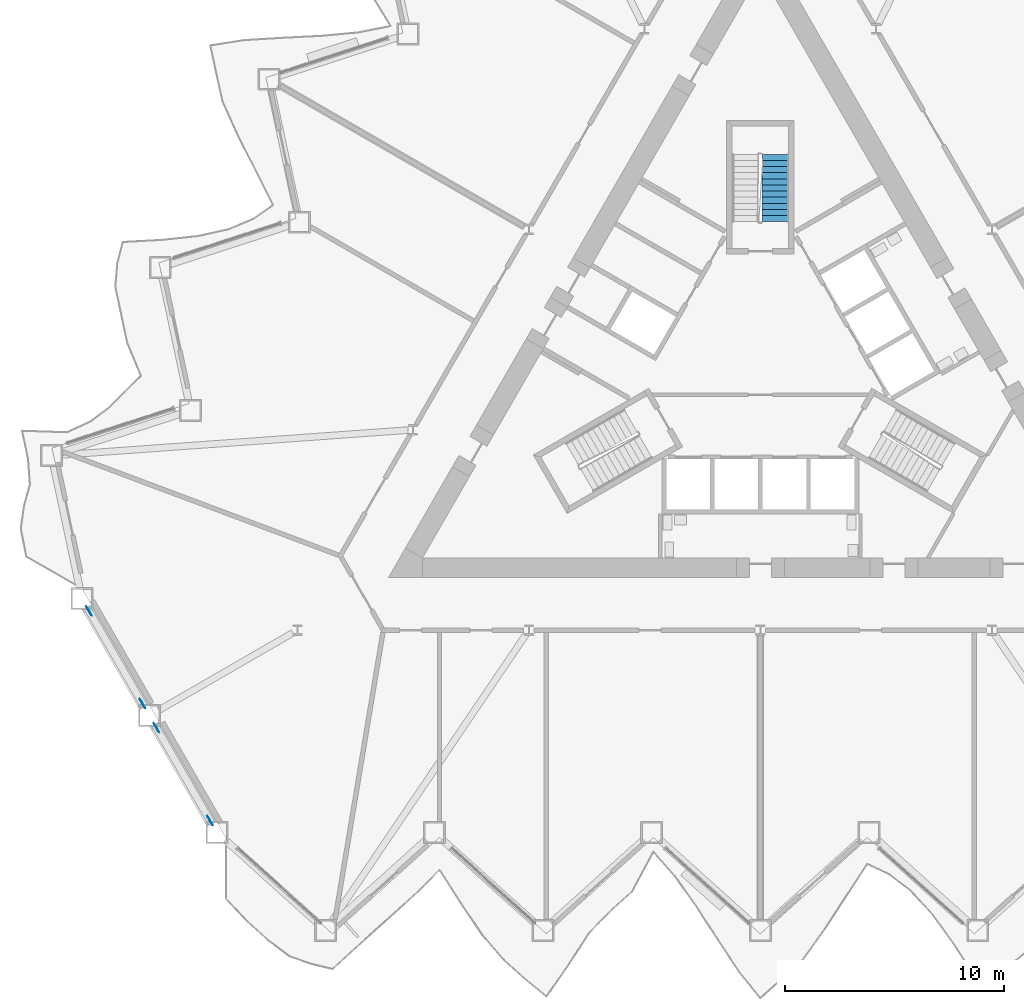
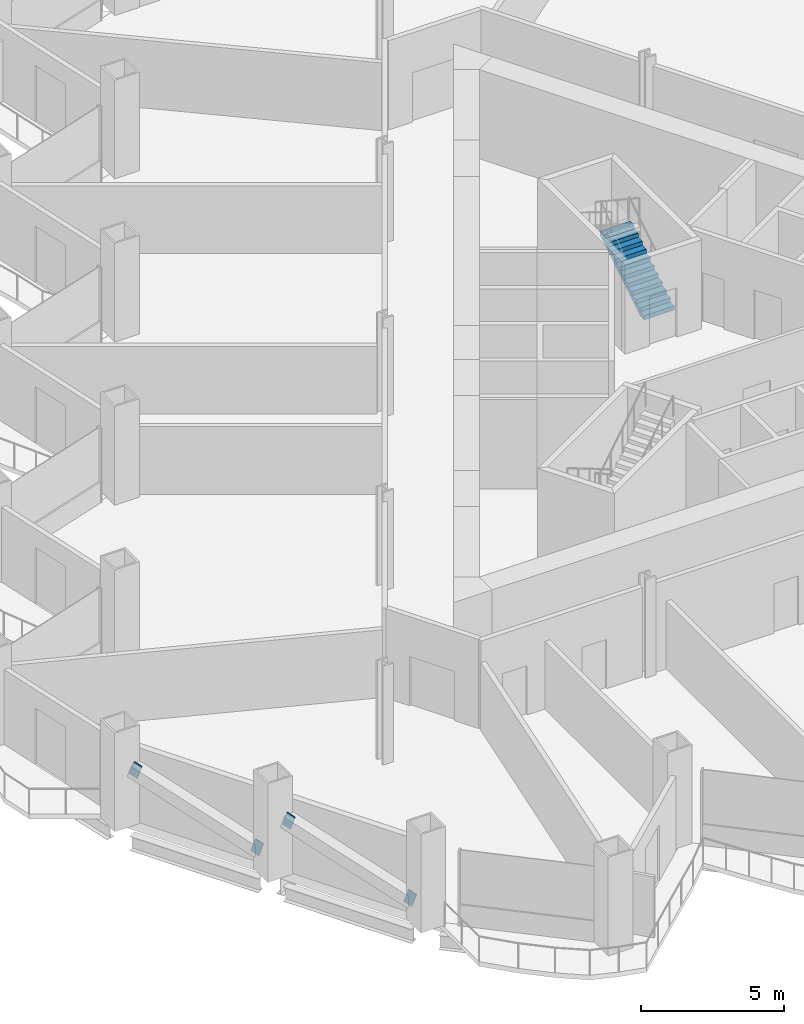
# One storey, part 13 of 20: 4 discrete accessories, 1 stair flight, 1 element without a shape of its own.
"""IFC4 building model written with IfcOpenShell, lengths in metres."""

from ifc_helpers import new_model, si_unit, direction, frame, origin, origin_2d, place, context, subcontext, project, spatial, polyline, rectangle, outline, extrude, material, material_profile, profile_set, type_object, element, aggregate, save


model = new_model("IFC4")

# Units and contexts
model_context = context("Model", 3, precision=1e-05, world=origin(), true_north=direction((0.0, 1.0)))
body_context = subcontext(model_context, "Body", "Model", "MODEL_VIEW")
ifc_project = project(units=[si_unit("LENGTHUNIT", "METRE"), si_unit("AREAUNIT", "SQUARE_METRE"), si_unit("VOLUMEUNIT", "CUBIC_METRE"), si_unit("PLANEANGLEUNIT", "RADIAN"), si_unit("MASSUNIT", "GRAM", prefix="KILO")], contexts=[model_context])

# Site, building, storey
site_placement = place(None, origin())
site = spatial("IfcSite", under=ifc_project, at=site_placement, CompositionType="ELEMENT")
building_placement = place(site_placement, origin())
building = spatial("IfcBuilding", under=site, at=building_placement, Name="Cormorant Prow Tower", CompositionType="ELEMENT")
storey_placement = place(building_placement, frame((0.0, 0.0, 59.39990234375)))
storey = spatial("IfcBuildingStorey", under=building, at=storey_placement, Name="L12", CompositionType="ELEMENT", Elevation=59.39990234375)

# Stair, stair flight
ifc_material_1 = material(Name="Exit stair 24 risers")
stair_type = type_object("IfcStairType", Name="Exit stair 24 risers", PredefinedType="HALF_TURN_STAIR", material=ifc_material_1)
stair_placement = place(storey_placement, origin())
stair = element("IfcStair", 1, at=stair_placement, inside=storey, type_object=stair_type, Name="L12 Exit stair ST3", PredefinedType="HALF_TURN_STAIR")
ifc_material_2 = material(Name="Concrete 5000 psi", Category="concrete")
stair_flight_type = type_object("IfcStairFlightType", Name="Stair flight 1219", PredefinedType="STRAIGHT", material=ifc_material_2)
stair_flight_placement = place(storey_placement, frame((0.6845703125, 6.455810546875, 0.0), z_axis=(0.0, 0.0, 1.0), x_axis=(0.0, 1.0, 0.0)))
stair_flight = element("IfcStairFlight", 2, at=stair_flight_placement, type_object=stair_flight_type, Name="ST3 flight 1", NumberOfRisers=12, NumberOfTreads=11, PredefinedType="STRAIGHT", RiserHeight=0.175, TreadLength=0.28, context=body_context, shape_type="SweptSolid", body=[
    extrude(outline(polyline([(0.0, 0.0), (0.0, 0.175048828125), (0.280029296875, 0.175048828125), (0.280029296875, 0.35009765625), (0.56005859375, 0.35009765625), (0.56005859375, 0.52490234375), (0.840087890625, 0.52490234375), (0.840087890625, 0.699951171875), (1.1201171875, 0.699951171875), (1.1201171875, 0.875), (1.39990234375, 0.875), (1.39990234375, 1.050048828125), (1.679931640625, 1.050048828125), (1.679931640625, 1.22509765625), (1.9599609375, 1.22509765625), (1.9599609375, 1.39990234375), (2.239990234375, 1.39990234375), (2.239990234375, 1.574951171875), (2.52001953125, 1.574951171875), (2.52001953125, 1.75), (2.800048828125, 1.75), (2.800048828125, 1.925048828125), (3.080078125, 1.925048828125), (3.080078125, 2.10009765625), (3.080078125, 1.748291015625), (0.28271484375, 0.0), (0.0, 0.0)])), frame((0.0, 0.609375, 0.0), z_axis=(0.0, -1.0, 0.0), x_axis=(1.0, 0.0, 0.0)), (0.0, 0.0, 1.0), 1.218994140625),
])
aggregate(stair, [stair_flight])

# Discrete accessories
ifc_material_3 = material(Name="Structural steel ASTM A500 Gr C", Category="steel")
ifc_material_profile = material_profile(ifc_material_3, rectangle(XDim=0.031982421875, YDim=0.60791015625, at=origin_2d()), Name="Gusset plate 32x608")
ifc_profile_set = profile_set([ifc_material_profile], Name="Structural steel ASTM A500 Gr C")
discrete_accessory_type = type_object("IfcDiscreteAccessoryType", Name="Gusset plate 32x608", PredefinedType="BRACKET", material=ifc_profile_set)
discrete_accessory_1_placement = place(storey_placement, frame((-28.3173828125, -15.42041015625, 0.859375), z_axis=(0.476464602218, -0.823872174553, -0.306946449452), x_axis=(0.865660382551, 0.500631703033, 0.0)))
element("IfcDiscreteAccessory", 3, at=discrete_accessory_1_placement, inside=storey, type_object=discrete_accessory_type, Name="Gusset plate GP1 L12.WSW00.g0", PredefinedType="BRACKET", context=body_context, shape_type="SweptSolid", body=[
    extrude(rectangle(XDim=0.031982421875, YDim=0.60791015625, at=origin_2d()), origin(), (0.0, 0.0, 1.0), 0.349853515625),
])
for number, where, z_axis, x_axis, name in (
    (4, (-30.597900390625, -11.47021484375, 2.329833984375), (-0.475753220995, 0.824545905009, 0.306239976564), (-0.866161185697, -0.499764745047, 0.0), "Gusset plate GP1 L12.WSW00.g1"),
    (5, (-25.232421875, -20.763427734375, 0.859375), (0.475651503409, -0.824369614413, -0.306871937683), (0.866161185697, 0.499764745047, 0.0), "Gusset plate GP1 L12.WSW01.g0"),
):
    element("IfcDiscreteAccessory", number, at=place(storey_placement, frame(where, z_axis=z_axis, x_axis=x_axis)), inside=storey, type_object=discrete_accessory_type, Name=name, PredefinedType="BRACKET", context=body_context, shape_type="SweptSolid", body=[
        extrude(rectangle(XDim=0.031982421875, YDim=0.60791015625, at=origin_2d()), origin(), (0.0, 0.0, 1.0), 0.35009765625),
    ])
discrete_accessory_2_placement = place(storey_placement, frame((-27.512939453125, -16.813232421875, 2.329833984375), z_axis=(-0.476566543187, 0.824048444368, 0.306314366704), x_axis=(-0.865660382551, -0.500631703033, 0.0)))
element("IfcDiscreteAccessory", 6, at=discrete_accessory_2_placement, inside=storey, type_object=discrete_accessory_type, Name="Gusset plate GP1 L12.WSW01.g1", PredefinedType="BRACKET", context=body_context, shape_type="SweptSolid", body=[
    extrude(rectangle(XDim=0.031982421875, YDim=0.60791015625, at=origin_2d()), origin(), (0.0, 0.0, 1.0), 0.349853515625),
])

save(model, "model.ifc")
